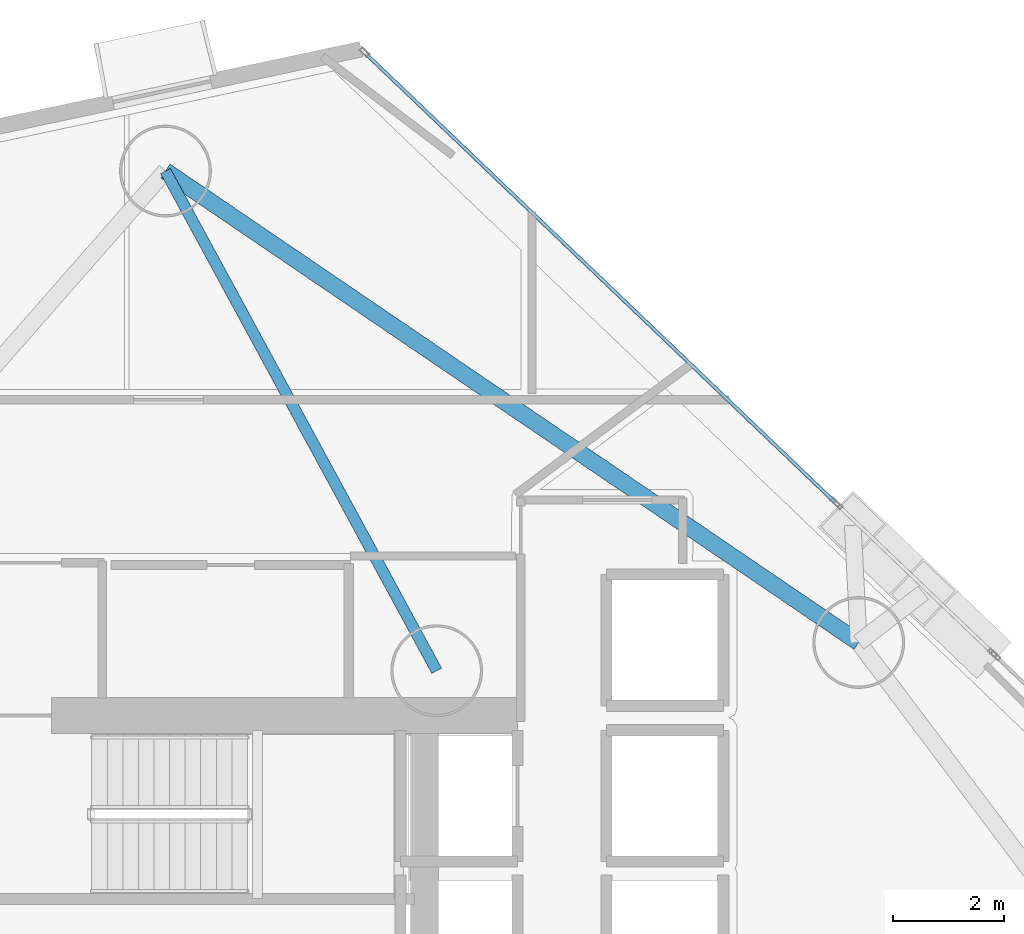
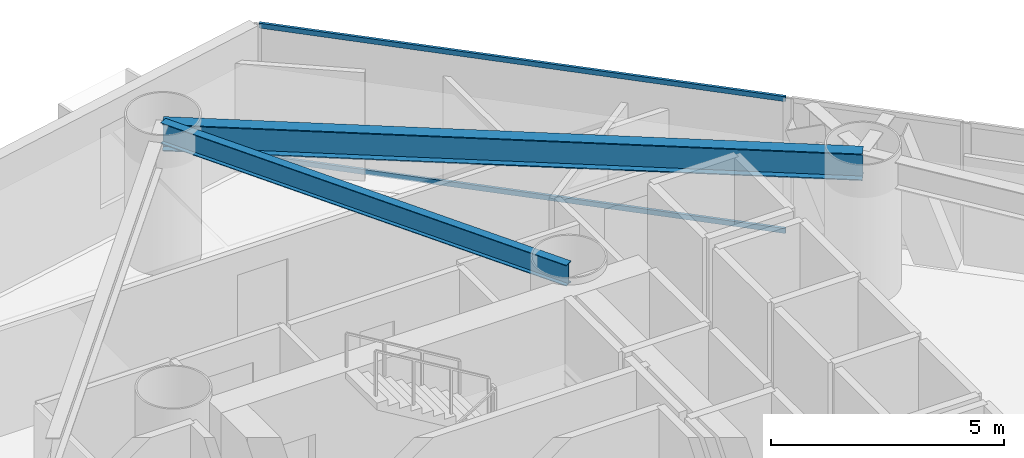
# One storey, part 11 of 23: 2 beams, 2 members, 1 element without a shape of its own.
"""IFC4 building model written with IfcOpenShell, lengths in metres."""

from ifc_helpers import new_model, si_unit, direction, frame, origin, origin_2d, place, context, subcontext, project, spatial, hollow_rectangle, i_section, extrude, material, layer, layer_set, material_profile, profile_set, type_object, element, aggregate, save


model = new_model("IFC4")

# Units and contexts
model_context = context("Model", 3, precision=1e-05, world=origin(), true_north=direction((0.0, 1.0)))
body_context = subcontext(model_context, "Body", "Model", "MODEL_VIEW")
ifc_project = project(units=[si_unit("LENGTHUNIT", "METRE"), si_unit("AREAUNIT", "SQUARE_METRE"), si_unit("VOLUMEUNIT", "CUBIC_METRE"), si_unit("PLANEANGLEUNIT", "RADIAN"), si_unit("MASSUNIT", "GRAM", prefix="KILO")], contexts=[model_context])

# Site, building, storey
site_placement = place(None, origin())
site = spatial("IfcSite", under=ifc_project, at=site_placement, CompositionType="ELEMENT")
building_placement = place(site_placement, origin())
building = spatial("IfcBuilding", under=site, at=building_placement, Name="Qianvela Tower", CompositionType="ELEMENT")
storey_placement = place(building_placement, frame((0.0, 0.0, 63.60009765625)))
storey = spatial("IfcBuildingStorey", under=building, at=storey_placement, Name="L15", CompositionType="ELEMENT", Elevation=63.60009765625)

# Beams
ifc_material_1 = material(Name="Steel Q355B", Category="steel")
ifc_material_profile_1 = material_profile(ifc_material_1, i_section(OverallWidth=0.199951171875, OverallDepth=0.550048828125, WebThickness=0.010009765625, FlangeThickness=0.01611328125, at=origin_2d()), Name="HN550x200x10x16")
ifc_profile_set_1 = profile_set([ifc_material_profile_1], Name="Steel Q355B")
beam_type_1 = type_object("IfcBeamType", Name="BM-HN550-GIRD", PredefinedType="BEAM", material=ifc_profile_set_1)
beam_1_placement = place(storey_placement, frame((38.39990234375, 33.550048828125, 3.242919921875), z_axis=(-0.477069714043, 0.878865454972, 0.0), x_axis=(-0.878865454972, -0.477069714043, 0.0)))
element("IfcBeam", 1, at=beam_1_placement, inside=storey, type_object=beam_type_1, Name="L15 Radial Primary Floor Girder 3", PredefinedType="BEAM", context=body_context, shape_type="SweptSolid", body=[
    extrude(i_section(OverallWidth=0.199951171875, OverallDepth=0.550048828125, WebThickness=0.010009765625, FlangeThickness=0.01611328125, at=origin_2d()), origin(), (0.0, 0.0, 1.0), 10.216552734375),
])
ifc_material_2 = material(Name="Steel Q355B", Category="steel")
ifc_material_profile_2 = material_profile(ifc_material_2, i_section(OverallWidth=0.300048828125, OverallDepth=0.699951171875, WebThickness=0.012939453125, FlangeThickness=0.02392578125, at=origin_2d()), Name="HN700x300x13x24")
ifc_profile_set_2 = profile_set([ifc_material_profile_2], Name="Steel Q355B")
beam_type_2 = type_object("IfcBeamType", Name="BM-HN700-SPAND", PredefinedType="SPANDREL", material=ifc_profile_set_2)
beam_2_placement = place(storey_placement, frame((45.98388671875, 34.056884765625, 3.16796875), z_axis=(-0.826904197504, 0.562342820839, 0.0), x_axis=(-0.562342820839, -0.826904197504, 0.0)))
element("IfcBeam", 2, at=beam_2_placement, inside=storey, type_object=beam_type_2, Name="L15 Perimeter Ring Spandrel Girder 2", PredefinedType="SPANDREL", context=body_context, shape_type="SweptSolid", body=[
    extrude(i_section(OverallWidth=0.300048828125, OverallDepth=0.699951171875, WebThickness=0.012939453125, FlangeThickness=0.02392578125, at=origin_2d()), origin(), (0.0, 0.0, 1.0), 15.06591796875),
])

# Curtain wall, members
ifc_material_3 = material(Name="Anodised Architectural Aluminium and Low-E Glass", Category="aluminium")
ifc_layer = layer(ifc_material_3, 0.179931640625)
ifc_layer_set = layer_set([ifc_layer], Name="Anodised Architectural Aluminium and Low-E Glass")
curtain_wall_type = type_object("IfcCurtainWallType", Name="CW-COLIV-Z12", PredefinedType="USERDEFINED", material=ifc_layer_set)
curtain_wall_placement = place(storey_placement, origin())
curtain_wall = element("IfcCurtainWall", 3, at=curtain_wall_placement, inside=storey, type_object=curtain_wall_type, Name="L15 CW-COLIV-Z12 Curtain Wall 02C", ObjectType="CURTAIN_WALL_SYSTEM", PredefinedType="USERDEFINED")
ifc_material_4 = material(Name="Anodised Architectural Aluminium 6063-T6", Category="aluminium")
ifc_material_profile_3 = material_profile(ifc_material_4, hollow_rectangle(XDim=0.06494140625, YDim=0.1298828125, WallThickness=0.00439453125, at=origin_2d()), Name="ALU-TRAN-65x130")
ifc_profile_set_3 = profile_set([ifc_material_profile_3], Name="Anodised Architectural Aluminium 6063-T6")
member_type = type_object("IfcMemberType", Name="CW-COLIV-Z12-TRAN", PredefinedType="USERDEFINED", material=ifc_profile_set_3)
member_1_placement = place(storey_placement, frame((45.5380859375, 36.59619140625, 0.032470703125), z_axis=(-0.722813186617, 0.691043484343, 0.0), x_axis=(-0.691043484343, -0.722813186617, 0.0)))
member_1 = element("IfcMember", 4, at=member_1_placement, type_object=member_type, Name="CW-3 transom 1.1", ObjectType="TRANSOM", PredefinedType="USERDEFINED", context=body_context, shape_type="SweptSolid", body=[
    extrude(hollow_rectangle(XDim=0.06494140625, YDim=0.1298828125, WallThickness=0.00439453125, at=origin_2d()), origin(), (0.0, 0.0, 1.0), 11.634521484375),
])
member_2_placement = place(storey_placement, frame((45.5380859375, 36.59619140625, 3.4873046875), z_axis=(-0.722813186617, 0.691043484343, 0.0), x_axis=(-0.691043484343, -0.722813186617, 0.0)))
member_2 = element("IfcMember", 5, at=member_2_placement, type_object=member_type, Name="CW-3 transom 1.2", ObjectType="TRANSOM", PredefinedType="USERDEFINED", context=body_context, shape_type="SweptSolid", body=[
    extrude(hollow_rectangle(XDim=0.06494140625, YDim=0.1298828125, WallThickness=0.00439453125, at=origin_2d()), origin(), (0.0, 0.0, 1.0), 11.634521484375),
])
aggregate(curtain_wall, [member_1, member_2])

save(model, "model.ifc")
